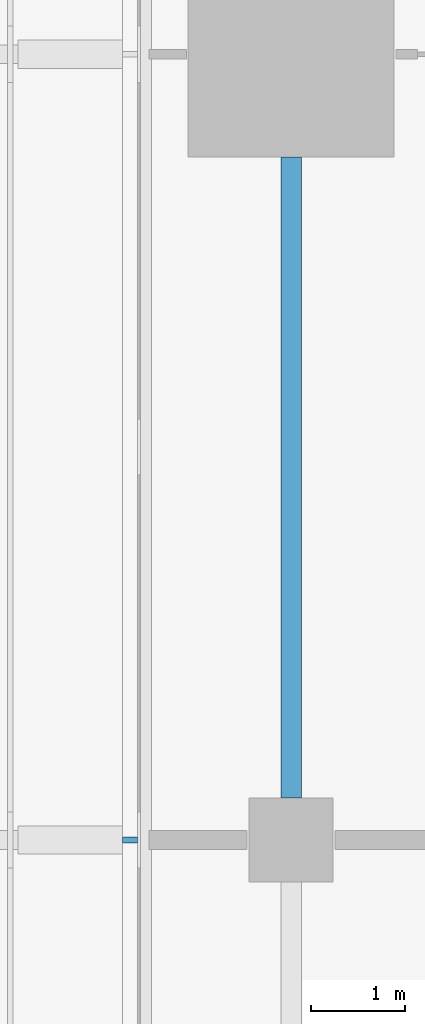
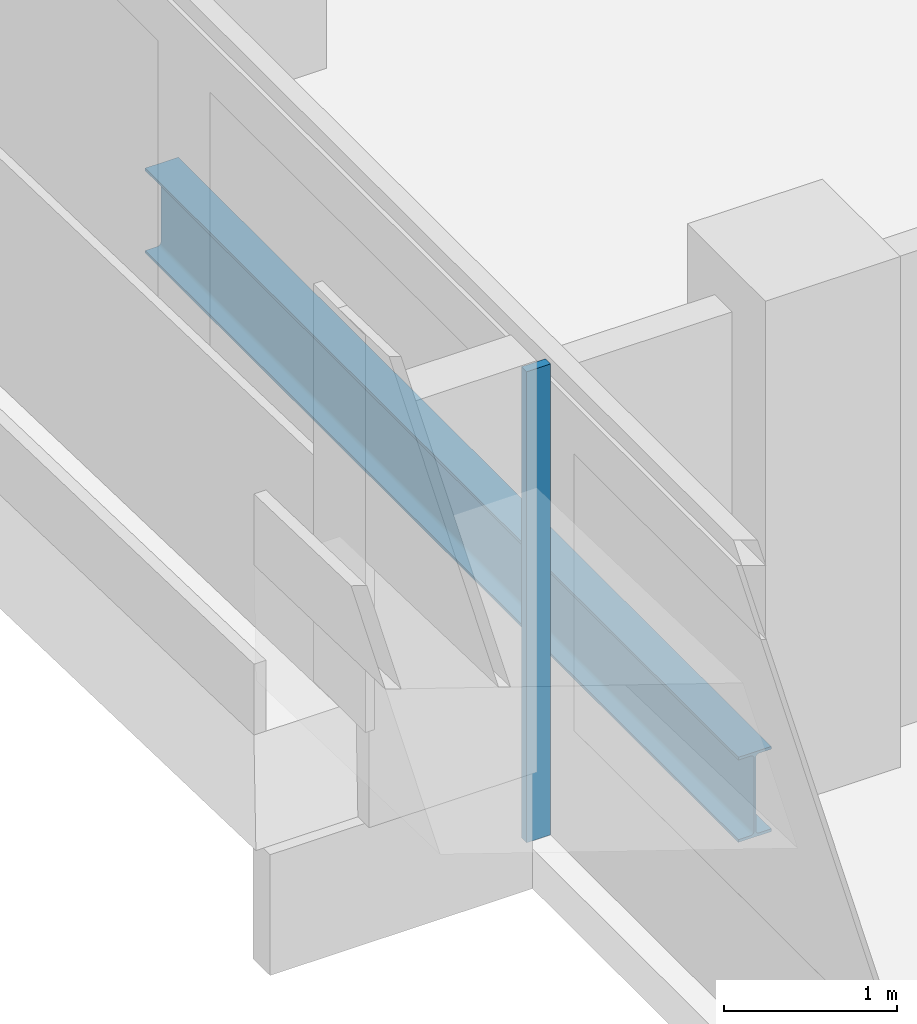
# One storey, part 4 of 28: 1 beam, 1 member, 1 element without a shape of its own.
"""IFC4 building model written with IfcOpenShell, lengths in metres."""

from ifc_helpers import new_model, si_unit, direction, frame, origin, origin_2d, place, context, subcontext, project, spatial, rectangle, i_section, extrude, material, material_profile, profile_set, type_object, element, aggregate, save


model = new_model("IFC4")

# Units and contexts
model_context = context("Model", 3, precision=1e-05, world=origin(), true_north=direction((0.0, 1.0)))
body_context = subcontext(model_context, "Body", "Model", "MODEL_VIEW")
ifc_project = project(units=[si_unit("LENGTHUNIT", "METRE"), si_unit("AREAUNIT", "SQUARE_METRE"), si_unit("VOLUMEUNIT", "CUBIC_METRE"), si_unit("PLANEANGLEUNIT", "RADIAN"), si_unit("MASSUNIT", "GRAM", prefix="KILO")], contexts=[model_context])

# Site, building, storey
site_placement = place(None, origin())
site = spatial("IfcSite", under=ifc_project, at=site_placement, CompositionType="ELEMENT")
building_placement = place(site_placement, origin())
building = spatial("IfcBuilding", under=site, at=building_placement, Name="Saffron Gate Tower", CompositionType="ELEMENT")
storey_placement = place(building_placement, frame((0.0, 0.0, 51.60009765625)))
storey = spatial("IfcBuildingStorey", under=building, at=storey_placement, Name="L11", CompositionType="ELEMENT", Elevation=51.60009765625)

# Beam
ifc_material_1 = material(Name="Structural steel S355", Category="steel")
ifc_material_profile_1 = material_profile(ifc_material_1, i_section(OverallWidth=0.219970703125, OverallDepth=0.60009765625, WebThickness=0.011962890625, FlangeThickness=0.01904296875, FilletRadius=0.02392578125, at=origin_2d()))
ifc_profile_set_1 = profile_set([ifc_material_profile_1], Name="Structural steel S355")
beam_type = type_object("IfcBeamType", Name="B16 IPE 600", PredefinedType="SPANDREL", material=ifc_profile_set_1)
beam_placement = place(storey_placement, frame((49.800048828125, 57.449951171875, -0.580078125), z_axis=(0.0, 1.0, 0.0), x_axis=(-1.0, 0.0, 0.0)))
element("IfcBeam", 1, at=beam_placement, inside=storey, type_object=beam_type, Name="B16 SPANDREL BEAM", PredefinedType="SPANDREL", context=body_context, shape_type="SweptSolid", body=[
    extrude(i_section(OverallWidth=0.219970703125, OverallDepth=0.60009765625, WebThickness=0.011962890625, FlangeThickness=0.01904296875, FilletRadius=0.02392578125, at=origin_2d()), origin(), (0.0, 0.0, 1.0), 6.85009765625),
])

# Curtain wall, member
ifc_material_2 = material(Name="Aluminium, bronze anodised", Category="aluminium")
curtain_wall_type = type_object("IfcCurtainWallType", Name="CWS2 curtain wall side facades", PredefinedType="NOTDEFINED", material=ifc_material_2)
curtain_wall_placement = place(storey_placement, origin())
curtain_wall = element("IfcCurtainWall", 2, at=curtain_wall_placement, inside=storey, type_object=curtain_wall_type, Name="CWS2 run 10", PredefinedType="NOTDEFINED")
ifc_material_profile_2 = material_profile(ifc_material_2, rectangle(XDim=0.159912109375, YDim=0.06005859375, at=origin_2d()))
ifc_profile_set_2 = profile_set([ifc_material_profile_2], Name="Aluminium, bronze anodised")
member_type = type_object("IfcMemberType", Name="CWS2 mullion 60x160", PredefinedType="MULLION", material=ifc_profile_set_2)
member_placement = place(storey_placement, frame((48.080078125, 57.0, 0.0), z_axis=(0.0, 0.0, 1.0), x_axis=(1.0, 0.0, 0.0)))
member = element("IfcMember", 3, at=member_placement, type_object=member_type, Name="CWS2 mullion 3", PredefinedType="MULLION", context=body_context, shape_type="SweptSolid", body=[
    extrude(rectangle(XDim=0.159912109375, YDim=0.06005859375, at=origin_2d()), origin(), (0.0, 0.0, 1.0), 3.31982421875),
])
aggregate(curtain_wall, [member])

save(model, "model.ifc")
